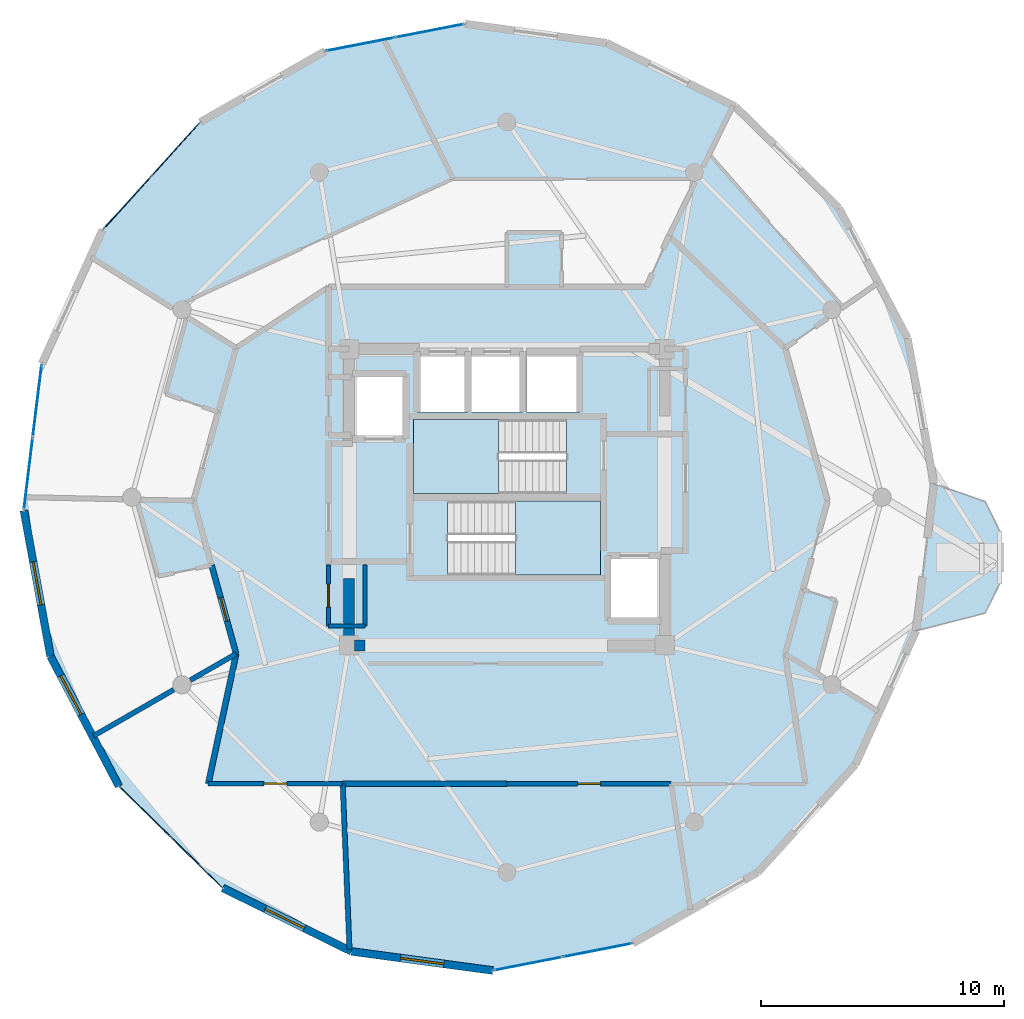
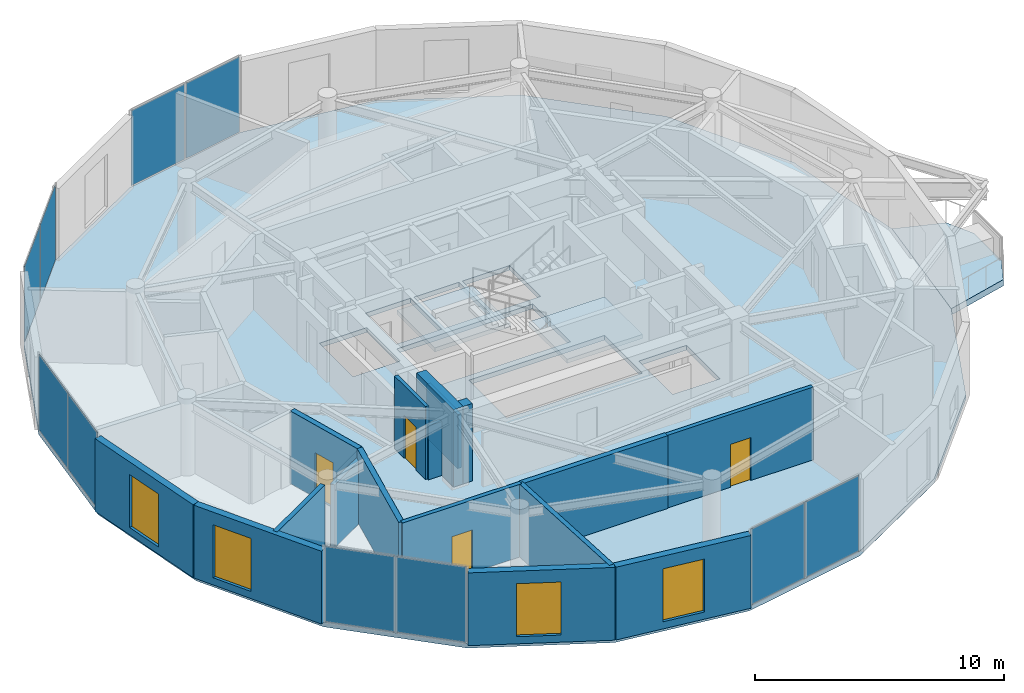
# One storey, part 13 of 18: 17 walls, 10 plates, 4 doors, 4 slabs, 4 windows, 8 openings, 7 elements without a shape of their own.
"""IFC4 building model written with IfcOpenShell, lengths in metres."""

from ifc_helpers import new_model, si_unit, direction, frame, frame_2d, origin, origin_2d, place, context, subcontext, project, spatial, polyline, rectangle, outline, extrude, source, transform, mapped, material, layer, layer_set, type_object, element, fill, aggregate, save


model = new_model("IFC4")

# Units and contexts
model_context = context("Model", 3, precision=1e-05, world=origin(), true_north=direction((0.0, 1.0)))
body_context = subcontext(model_context, "Body", "Model", "MODEL_VIEW")
ifc_project = project(units=[si_unit("LENGTHUNIT", "METRE"), si_unit("AREAUNIT", "SQUARE_METRE"), si_unit("VOLUMEUNIT", "CUBIC_METRE"), si_unit("PLANEANGLEUNIT", "RADIAN"), si_unit("MASSUNIT", "GRAM", prefix="KILO")], contexts=[model_context])

# Site, building, storey
site_placement = place(None, origin())
site = spatial("IfcSite", under=ifc_project, at=site_placement, CompositionType="ELEMENT")
building_placement = place(site_placement, origin())
building = spatial("IfcBuilding", under=site, at=building_placement, Name="Solvirekh Grand Hotel", CompositionType="ELEMENT")
storey_placement = place(building_placement, frame((0.0, 0.0, 274.39990234375)))
storey = spatial("IfcBuildingStorey", under=building, at=storey_placement, Name="L71", CompositionType="ELEMENT", Elevation=274.39990234375)

# Slab
ifc_material_1 = material(Name="Concrete C50/60", Category="concrete")
ifc_layer_1 = layer(ifc_material_1, 0.31005859375)
ifc_layer_set_1 = layer_set([ifc_layer_1], Name="Concrete C50/60")
slab_type_1 = type_object("IfcSlabType", Name="ExtHornSkyGarden_310", PredefinedType="FLOOR", material=ifc_layer_set_1)
slab_1_placement = place(storey_placement, frame((0.0, 0.0, -0.309814453125)))
element("IfcSlab", 1, at=slab_1_placement, inside=storey, type_object=slab_type_1, Name="L71 east horn sky-garden deck", PredefinedType="FLOOR", context=body_context, shape_type="SweptSolid", body=[
    extrude(outline(polyline([(17.592041015625, 0.550048828125), (16.85107421875, -5.5), (19.69189453125, -4.77392578125), (20.2919921875, -3.56396484375), (20.2919921875, -1.385986328125), (19.69189453125, -0.176025390625), (17.592041015625, 0.550048828125)])), origin(), (0.0, 0.0, 1.0), 0.309814453125),
])

# Stair, slab
ifc_material_2 = material(Name="Concrete C40/50", Category="concrete")
stair_type = type_object("IfcStairType", Name="Stair_Core_1450", PredefinedType="HALF_TURN_STAIR", material=ifc_material_2)
stair_1_placement = place(storey_placement, origin())
stair_1 = element("IfcStair", 2, at=stair_1_placement, inside=storey, type_object=stair_type, Name="L71 Enclosed exit stair ST-1", PredefinedType="HALF_TURN_STAIR")
ifc_layer_2 = layer(ifc_material_2, 0.199951171875)
ifc_layer_set_2 = layer_set([ifc_layer_2], Name="Concrete C40/50")
slab_type_2 = type_object("IfcSlabType", Name="Landing_Stair_200", PredefinedType="LANDING", material=ifc_layer_set_2)
slab_2_placement = place(storey_placement, frame((0.0, 0.0, 1.7001953125)))
slab_2 = element("IfcSlab", 3, at=slab_2_placement, type_object=slab_type_2, Name="ST-1 landing 1", PredefinedType="LANDING", context=body_context, shape_type="SweptSolid", body=[
    extrude(outline(polyline([(0.35009765625, -3.199951171875), (3.85009765625, -3.199951171875), (3.85009765625, -0.14990234375), (0.35009765625, -0.14990234375), (0.35009765625, -3.199951171875)])), origin(), (0.0, 0.0, 1.0), 0.199951171875),
])
aggregate(stair_1, [slab_2])

stair_2_placement = place(storey_placement, origin())
stair_2 = element("IfcStair", 4, at=stair_2_placement, inside=storey, type_object=stair_type, Name="L71 Enclosed exit stair ST-2", PredefinedType="HALF_TURN_STAIR")
slab_3_placement = place(storey_placement, frame((0.0, 0.0, 1.7001953125)))
slab_3 = element("IfcSlab", 5, at=slab_3_placement, type_object=slab_type_2, Name="ST-2 landing 1", PredefinedType="LANDING", context=body_context, shape_type="SweptSolid", body=[
    extrude(outline(polyline([(-0.35009765625, 3.199951171875), (-3.85009765625, 3.199951171875), (-3.85009765625, 0.14990234375), (-0.35009765625, 0.14990234375), (-0.35009765625, 3.199951171875)])), origin(), (0.0, 0.0, 1.0), 0.199951171875),
])
aggregate(stair_2, [slab_3])

# Slab
ifc_layer_3 = layer(ifc_material_2, 0.22998046875)
ifc_layer_set_3 = layer_set([ifc_layer_3], Name="Concrete C40/50")
slab_type_3 = type_object("IfcSlabType", Name="Slab_GuestZ4_230", PredefinedType="FLOOR", material=ifc_layer_set_3)
slab_4_placement = place(storey_placement, frame((0.0, 0.0, -0.22998046875)))
element("IfcSlab", 6, at=slab_4_placement, inside=storey, type_object=slab_type_3, Name="L71 structural floor slab", PredefinedType="FLOOR", context=body_context, shape_type="SweptSolid", body=[
    extrude(outline(polyline([(-0.577880859375, -19.491943359375), (5.18505859375, -18.367919921875), (10.3291015625, -15.446044921875), (14.34912109375, -11.011962890625), (16.85107421875, -5.5), (17.592041015625, 0.550048828125), (16.498046875, 6.5458984375), (13.677001953125, 11.902099609375), (9.404052734375, 16.092041015625), (4.097900390625, 18.70703125), (-1.721923828125, 19.491943359375), (-7.485107421875, 18.367919921875), (-12.62890625, 15.446044921875), (-16.64892578125, 11.011962890625), (-19.15087890625, 5.5), (-19.89208984375, -0.550048828125), (-18.798095703125, -6.5458984375), (-15.97705078125, -11.902099609375), (-11.7041015625, -16.092041015625), (-6.39794921875, -18.70703125), (-0.577880859375, -19.491943359375)]), holes=[polyline([(-2.444091796875, -0.14990234375), (3.85009765625, -0.14990234375), (3.85009765625, -3.199951171875), (-2.444091796875, -3.199951171875), (-2.444091796875, -0.14990234375)]), polyline([(2.444091796875, 0.14990234375), (-3.85009765625, 0.14990234375), (-3.85009765625, 3.199951171875), (2.444091796875, 3.199951171875), (2.444091796875, 0.14990234375)]), polyline([(-3.699951171875, 6.0), (-1.60009765625, 6.0), (-1.60009765625, 3.5), (-3.699951171875, 3.5), (-3.699951171875, 6.0)]), polyline([(-1.449951171875, 6.0), (0.64990234375, 6.0), (0.64990234375, 3.5), (-1.449951171875, 3.5), (-1.449951171875, 6.0)]), polyline([(0.800048828125, 6.0), (3.0, 6.0), (3.0, 3.5), (0.800048828125, 3.5), (0.800048828125, 6.0)]), polyline([(-6.35009765625, 5.10009765625), (-4.14990234375, 5.10009765625), (-4.14990234375, 2.39990234375), (-6.35009765625, 2.39990234375), (-6.35009765625, 5.10009765625)]), polyline([(4.14990234375, -2.39990234375), (6.35009765625, -2.39990234375), (6.35009765625, -5.10009765625), (4.14990234375, -5.10009765625), (4.14990234375, -2.39990234375)])]), origin(), (0.0, 0.0, 1.0), 0.22998046875),
])

# Curtain wall, plates
ifc_material_3 = material(Name="Anodized Bronze Aluminium 6063-T6", Category="aluminium")
ifc_layer_4 = layer(ifc_material_3, 0.159912109375)
ifc_layer_set_4 = layer_set([ifc_layer_4], Name="Anodized Bronze Aluminium 6063-T6")
curtain_wall_type = type_object("IfcCurtainWallType", Name="CW_Sys4_HighZoneFlushBronzeCW", PredefinedType="NOTDEFINED", material=ifc_layer_set_4)
curtain_wall_1_placement = place(storey_placement, origin())
curtain_wall_1 = element("IfcCurtainWall", 7, at=curtain_wall_1_placement, inside=storey, type_object=curtain_wall_type, Name="L71 unitised bronze-glass curtain wall CW-L71-C18", PredefinedType="NOTDEFINED")
ifc_material_4 = material(Name="Low-E Tinted Bronze Laminated Glass", Category="aluminium")
ifc_layer_5 = layer(ifc_material_4, 0.033935546875)
ifc_layer_set_5 = layer_set([ifc_layer_5], Name="Low-E Tinted Bronze Laminated Glass")
plate_type = type_object("IfcPlateType", Name="CWPanel_High_34", PredefinedType="CURTAIN_PANEL", material=ifc_layer_set_5)
shared_shape_1 = source(origin(), body_context, "Body", "SweptSolid", [
    extrude(rectangle(XDim=2.90234375, YDim=0.033935546875, at=origin_2d()), origin(), (0.0, 0.0, 1.0), 3.68994140625),
])
plate_1_placement = place(storey_placement, frame((-14.89794921875, -12.9599609375, 0.05517578125), z_axis=(0.0, 0.0, 1.0), x_axis=(0.714007320454, -0.700138233736, 0.0)))
plate_1 = element("IfcPlate", 8, at=plate_1_placement, type_object=plate_type, Name="U04 panel 1.1", PredefinedType="CURTAIN_PANEL", context=body_context, shape_type="MappedRepresentation", body=[
    mapped(shared_shape_1, transform((0.0, 0.0, 0.0), x_axis=(1.0, 0.0, 0.0), y_axis=(0.0, 1.0, 0.0), z_axis=(0.0, 0.0, 1.0), scale=1.0)),
])
plate_2_placement = place(storey_placement, frame((-12.782958984375, -15.033935546875, 0.05517578125), z_axis=(0.0, 0.0, 1.0), x_axis=(0.714007320454, -0.700138233736, 0.0)))
plate_2 = element("IfcPlate", 9, at=plate_2_placement, type_object=plate_type, Name="U04 panel 2.1", PredefinedType="CURTAIN_PANEL", context=body_context, shape_type="MappedRepresentation", body=[
    mapped(shared_shape_1, transform((0.0, 0.0, 0.0), x_axis=(1.0, 0.0, 0.0), y_axis=(0.0, 1.0, 0.0), z_axis=(0.0, 0.0, 1.0), scale=1.0)),
])
aggregate(curtain_wall_1, [plate_1, plate_2])

curtain_wall_2_placement = place(storey_placement, origin())
curtain_wall_2 = element("IfcCurtainWall", 10, at=curtain_wall_2_placement, inside=storey, type_object=curtain_wall_type, Name="L71 unitised bronze-glass curtain wall CW-L71-C13", PredefinedType="NOTDEFINED")
shared_shape_2 = source(origin(), body_context, "Body", "SweptSolid", [
    extrude(rectangle(XDim=2.902587890625, YDim=0.033935546875, at=origin_2d()), origin(), (0.0, 0.0, 1.0), 3.68994140625),
])
plate_3_placement = place(storey_placement, frame((-13.64404296875, 14.326416015625, 0.05517578125), z_axis=(0.0, 0.0, 1.0), x_axis=(-0.671674219559, -0.740846639177, 0.0)))
plate_3 = element("IfcPlate", 11, at=plate_3_placement, type_object=plate_type, Name="U04 panel 1.1", PredefinedType="CURTAIN_PANEL", context=body_context, shape_type="MappedRepresentation", body=[
    mapped(shared_shape_2, transform((0.0, 0.0, 0.0), x_axis=(1.0, 0.0, 0.0), y_axis=(0.0, 1.0, 0.0), z_axis=(0.0, 0.0, 1.0), scale=1.0)),
])
plate_4_placement = place(storey_placement, frame((-15.634033203125, 12.131591796875, 0.05517578125), z_axis=(0.0, 0.0, 1.0), x_axis=(-0.671674219559, -0.740846639177, 0.0)))
plate_4 = element("IfcPlate", 12, at=plate_4_placement, type_object=plate_type, Name="U04 panel 2.1", PredefinedType="CURTAIN_PANEL", context=body_context, shape_type="MappedRepresentation", body=[
    mapped(shared_shape_2, transform((0.0, 0.0, 0.0), x_axis=(1.0, 0.0, 0.0), y_axis=(0.0, 1.0, 0.0), z_axis=(0.0, 0.0, 1.0), scale=1.0)),
])
aggregate(curtain_wall_2, [plate_3, plate_4])

curtain_wall_3_placement = place(storey_placement, origin())
curtain_wall_3 = element("IfcCurtainWall", 13, at=curtain_wall_3_placement, inside=storey, type_object=curtain_wall_type, Name="L71 unitised bronze-glass curtain wall CW-L71-C15", PredefinedType="NOTDEFINED")
shared_shape_3 = source(origin(), body_context, "Body", "SweptSolid", [
    extrude(rectangle(XDim=2.95751953125, YDim=0.033935546875, at=origin_2d()), origin(), (0.0, 0.0, 1.0), 3.68994140625),
])
plate_5_placement = place(storey_placement, frame((-19.338134765625, 3.97265625, 0.05517578125), z_axis=(0.0, 0.0, 1.0), x_axis=(-0.121570879322, -0.992582752873, 0.0)))
plate_5 = element("IfcPlate", 14, at=plate_5_placement, type_object=plate_type, Name="U04 panel 1.1", PredefinedType="CURTAIN_PANEL", context=body_context, shape_type="MappedRepresentation", body=[
    mapped(shared_shape_3, transform((0.0, 0.0, 0.0), x_axis=(1.0, 0.0, 0.0), y_axis=(0.0, 1.0, 0.0), z_axis=(0.0, 0.0, 1.0), scale=1.0)),
])
plate_6_placement = place(storey_placement, frame((-19.704833984375, 0.977294921875, 0.05517578125), z_axis=(0.0, 0.0, 1.0), x_axis=(-0.121570879322, -0.992582752873, 0.0)))
plate_6 = element("IfcPlate", 15, at=plate_6_placement, type_object=plate_type, Name="U04 panel 2.1", PredefinedType="CURTAIN_PANEL", context=body_context, shape_type="MappedRepresentation", body=[
    mapped(shared_shape_3, transform((0.0, 0.0, 0.0), x_axis=(1.0, 0.0, 0.0), y_axis=(0.0, 1.0, 0.0), z_axis=(0.0, 0.0, 1.0), scale=1.0)),
])
aggregate(curtain_wall_3, [plate_5, plate_6])

curtain_wall_4_placement = place(storey_placement, origin())
curtain_wall_4 = element("IfcCurtainWall", 16, at=curtain_wall_4_placement, inside=storey, type_object=curtain_wall_type, Name="L71 unitised bronze-glass curtain wall CW-L71-C01", PredefinedType="NOTDEFINED")
shared_shape_4 = source(origin(), body_context, "Body", "SweptSolid", [
    extrude(rectangle(XDim=2.845703125, YDim=0.033935546875, at=origin_2d()), origin(), (0.0, 0.0, 1.0), 3.68994140625),
])
plate_7_placement = place(storey_placement, frame((0.87744140625, -19.2080078125, 0.05517578125), z_axis=(0.0, 0.0, 1.0), x_axis=(0.981506204733, 0.191430326936, 0.0)))
plate_7 = element("IfcPlate", 17, at=plate_7_placement, type_object=plate_type, Name="U04 panel 1.1", PredefinedType="CURTAIN_PANEL", context=body_context, shape_type="MappedRepresentation", body=[
    mapped(shared_shape_4, transform((0.0, 0.0, 0.0), x_axis=(1.0, 0.0, 0.0), y_axis=(0.0, 1.0, 0.0), z_axis=(0.0, 0.0, 1.0), scale=1.0)),
])
plate_8_placement = place(storey_placement, frame((3.7294921875, -18.65185546875, 0.05517578125), z_axis=(0.0, 0.0, 1.0), x_axis=(0.981506204733, 0.191430326936, 0.0)))
plate_8 = element("IfcPlate", 18, at=plate_8_placement, type_object=plate_type, Name="U04 panel 2.1", PredefinedType="CURTAIN_PANEL", context=body_context, shape_type="MappedRepresentation", body=[
    mapped(shared_shape_4, transform((0.0, 0.0, 0.0), x_axis=(1.0, 0.0, 0.0), y_axis=(0.0, 1.0, 0.0), z_axis=(0.0, 0.0, 1.0), scale=1.0)),
])
aggregate(curtain_wall_4, [plate_7, plate_8])

curtain_wall_5_placement = place(storey_placement, origin())
curtain_wall_5 = element("IfcCurtainWall", 19, at=curtain_wall_5_placement, inside=storey, type_object=curtain_wall_type, Name="L71 unitised bronze-glass curtain wall CW-L71-C11", PredefinedType="NOTDEFINED")
plate_9_placement = place(storey_placement, frame((-3.177490234375, 19.2080078125, 0.05517578125), z_axis=(0.0, 0.0, 1.0), x_axis=(-0.981506204733, -0.191430326936, 0.0)))
plate_9 = element("IfcPlate", 20, at=plate_9_placement, type_object=plate_type, Name="U04 panel 1.1", PredefinedType="CURTAIN_PANEL", context=body_context, shape_type="MappedRepresentation", body=[
    mapped(shared_shape_4, transform((0.0, 0.0, 0.0), x_axis=(1.0, 0.0, 0.0), y_axis=(0.0, 1.0, 0.0), z_axis=(0.0, 0.0, 1.0), scale=1.0)),
])
plate_10_placement = place(storey_placement, frame((-6.029541015625, 18.65185546875, 0.05517578125), z_axis=(0.0, 0.0, 1.0), x_axis=(-0.981506204733, -0.191430326936, 0.0)))
plate_10 = element("IfcPlate", 21, at=plate_10_placement, type_object=plate_type, Name="U04 panel 2.1", PredefinedType="CURTAIN_PANEL", context=body_context, shape_type="MappedRepresentation", body=[
    mapped(shared_shape_4, transform((0.0, 0.0, 0.0), x_axis=(1.0, 0.0, 0.0), y_axis=(0.0, 1.0, 0.0), z_axis=(0.0, 0.0, 1.0), scale=1.0)),
])
aggregate(curtain_wall_5, [plate_9, plate_10])

# Walls
ifc_layer_6 = layer(ifc_material_1, 0.449951171875)
ifc_layer_set_6 = layer_set([ifc_layer_6], Name="Concrete C50/60")
wall_type_1 = type_object("IfcWallType", Name="CoreWall_RC450", PredefinedType="SHEAR", material=ifc_layer_set_6)
wall_1_placement = place(storey_placement, frame((-6.27490234375, -6.10009765625, 0.0), z_axis=(0.0, 0.0, 1.0), x_axis=(1.0, 0.0, 0.0)))
element("IfcWall", 22, at=wall_1_placement, inside=storey, type_object=wall_type_1, Name="L71 core corner shear wall SW-S", PredefinedType="SHEAR", context=body_context, shape_type="SweptSolid", body=[
    extrude(rectangle(XDim=0.4248046875, YDim=0.449951171875, at=frame_2d((0.21240234375, 0.0))), origin(), (0.0, 0.0, 1.0), 3.800048828125),
])
wall_2_placement = place(storey_placement, frame((-6.5, -6.324951171875, 0.0), z_axis=(0.0, 0.0, 1.0), x_axis=(0.0, 1.0, 0.0)))
element("IfcWall", 23, at=wall_2_placement, inside=storey, type_object=wall_type_1, Name="L71 core corner shear wall WS-W", PredefinedType="SHEAR", context=body_context, shape_type="SweptSolid", body=[
    extrude(rectangle(XDim=2.974853515625, YDim=0.449951171875, at=frame_2d((1.4873046875, 0.0))), origin(), (0.0, 0.0, 1.0), 3.800048828125),
])

# Wall, opening, window
ifc_material_5 = material(Name="Precast concrete C45/55", Category="concrete")
ifc_layer_7 = layer(ifc_material_5, 0.320068359375)
ifc_layer_set_7 = layer_set([ifc_layer_7], Name="Precast concrete C45/55")
wall_type_2 = type_object("IfcWallType", Name="ExtLobbyWall_RC320", PredefinedType="SOLIDWALL", material=ifc_layer_set_7)
wall_3_placement = place(storey_placement, frame((-18.798095703125, -6.5458984375, 0.0), z_axis=(0.0, 0.0, 1.0), x_axis=(-0.179495230974, 0.983758843446, 0.0)))
wall_3 = element("IfcWall", 24, at=wall_3_placement, inside=storey, type_object=wall_type_2, Name="L71 exterior structural wall chord 16", PredefinedType="SOLIDWALL", context=body_context, shape_type="SweptSolid", body=[
    extrude(rectangle(XDim=6.0947265625, YDim=0.320068359375, at=frame_2d((3.04736328125, 0.0))), origin(), (0.0, 0.0, 1.0), 3.570068359375),
])
opening_1_placement = place(wall_3_placement, frame((2.14697265625, 0.0, 0.35009765625)))
opening_1 = element("IfcOpeningElement", 25, at=opening_1_placement, cuts=wall_3, Name="Opening W02", PredefinedType="OPENING", context=body_context, shape_type="SweptSolid", body=[
    extrude(rectangle(XDim=1.800048828125, YDim=2.60009765625, at=frame_2d((0.89990234375, 1.300048828125))), frame((0.0, 0.169921875, 0.0), z_axis=(0.0, -1.0, 0.0), x_axis=(1.0, 0.0, 0.0)), (0.0, 0.0, 1.0), 0.340087890625),
])
window_type = type_object("IfcWindowType", Name="Win_LobbyExt_1800X2600", PartitioningType="SINGLE_PANEL", PredefinedType="WINDOW", material=ifc_material_4)
window_1_placement = place(opening_1_placement, origin())
window_1 = element("IfcWindow", 26, at=window_1_placement, inside=storey, type_object=window_type, Name="L71 panoramic bronze-framed window 16", OverallHeight=2.60009765625, OverallWidth=1.800048828125, PartitioningType="SINGLE_PANEL", PredefinedType="WINDOW", context=body_context, shape_type="SweptSolid", body=[
    extrude(rectangle(XDim=1.800048828125, YDim=2.60009765625, at=frame_2d((0.89990234375, 1.300048828125))), frame((0.0, 0.030029296875, 0.0), z_axis=(0.0, -1.0, 0.0), x_axis=(1.0, 0.0, 0.0)), (0.0, 0.0, 1.0), 0.06005859375),
])
fill(opening_1, window_1)

wall_4_placement = place(storey_placement, frame((-15.97705078125, -11.902099609375, 0.0), z_axis=(0.0, 0.0, 1.0), x_axis=(-0.466004047649, 0.884782587744, 0.0)))
wall_4 = element("IfcWall", 27, at=wall_4_placement, inside=storey, type_object=wall_type_2, Name="L71 exterior structural wall chord 17", PredefinedType="SOLIDWALL", context=body_context, shape_type="SweptSolid", body=[
    extrude(rectangle(XDim=6.0537109375, YDim=0.320068359375, at=frame_2d((3.02685546875, 0.0))), origin(), (0.0, 0.0, 1.0), 3.570068359375),
])
opening_2_placement = place(wall_4_placement, frame((3.337890625, 0.0, 0.35009765625)))
opening_2 = element("IfcOpeningElement", 28, at=opening_2_placement, cuts=wall_4, Name="Opening W02", PredefinedType="OPENING", context=body_context, shape_type="SweptSolid", body=[
    extrude(rectangle(XDim=1.800048828125, YDim=2.60009765625, at=frame_2d((0.89990234375, 1.300048828125))), frame((0.0, 0.169921875, 0.0), z_axis=(0.0, -1.0, 0.0), x_axis=(1.0, 0.0, 0.0)), (0.0, 0.0, 1.0), 0.340087890625),
])
window_2_placement = place(opening_2_placement, origin())
window_2 = element("IfcWindow", 29, at=window_2_placement, inside=storey, type_object=window_type, Name="L71 panoramic bronze-framed window 17", OverallHeight=2.60009765625, OverallWidth=1.800048828125, PartitioningType="SINGLE_PANEL", PredefinedType="WINDOW", context=body_context, shape_type="SweptSolid", body=[
    extrude(rectangle(XDim=1.800048828125, YDim=2.60009765625, at=frame_2d((0.89990234375, 1.300048828125))), frame((0.0, 0.030029296875, 0.0), z_axis=(0.0, -1.0, 0.0), x_axis=(1.0, 0.0, 0.0)), (0.0, 0.0, 1.0), 0.06005859375),
])
fill(opening_2, window_2)

wall_5_placement = place(storey_placement, frame((-6.39794921875, -18.70703125, 0.0), z_axis=(0.0, 0.0, 1.0), x_axis=(-0.896987681867, 0.442055537889, 0.0)))
wall_5 = element("IfcWall", 30, at=wall_5_placement, inside=storey, type_object=wall_type_2, Name="L71 exterior structural wall chord 19", PredefinedType="SOLIDWALL", context=body_context, shape_type="SweptSolid", body=[
    extrude(rectangle(XDim=5.91552734375, YDim=0.320068359375, at=frame_2d((2.957763671875, 0.0))), origin(), (0.0, 0.0, 1.0), 3.570068359375),
])
opening_3_placement = place(wall_5_placement, frame((2.1650390625, 0.0, 0.35009765625)))
opening_3 = element("IfcOpeningElement", 31, at=opening_3_placement, cuts=wall_5, Name="Opening W02", PredefinedType="OPENING", context=body_context, shape_type="SweptSolid", body=[
    extrude(rectangle(XDim=1.800048828125, YDim=2.60009765625, at=frame_2d((0.89990234375, 1.300048828125))), frame((0.0, 0.169921875, 0.0), z_axis=(0.0, -1.0, 0.0), x_axis=(1.0, 0.0, 0.0)), (0.0, 0.0, 1.0), 0.340087890625),
])
window_3_placement = place(opening_3_placement, origin())
window_3 = element("IfcWindow", 32, at=window_3_placement, inside=storey, type_object=window_type, Name="L71 panoramic bronze-framed window 19", OverallHeight=2.60009765625, OverallWidth=1.800048828125, PartitioningType="SINGLE_PANEL", PredefinedType="WINDOW", context=body_context, shape_type="SweptSolid", body=[
    extrude(rectangle(XDim=1.800048828125, YDim=2.60009765625, at=frame_2d((0.89990234375, 1.300048828125))), frame((0.0, 0.030029296875, 0.0), z_axis=(0.0, -1.0, 0.0), x_axis=(1.0, 0.0, 0.0)), (0.0, 0.0, 1.0), 0.06005859375),
])
fill(opening_3, window_3)

wall_6_placement = place(storey_placement, frame((-0.577880859375, -19.491943359375, 0.0), z_axis=(0.0, 0.0, 1.0), x_axis=(-0.991028181298, 0.133653072817, 0.0)))
wall_6 = element("IfcWall", 33, at=wall_6_placement, inside=storey, type_object=wall_type_2, Name="L71 exterior structural wall chord 20", PredefinedType="SOLIDWALL", context=body_context, shape_type="SweptSolid", body=[
    extrude(rectangle(XDim=5.872802734375, YDim=0.320068359375, at=frame_2d((2.9365234375, 0.0))), origin(), (0.0, 0.0, 1.0), 3.570068359375),
])
opening_4_placement = place(wall_6_placement, frame((2.034912109375, 0.0, 0.35009765625)))
opening_4 = element("IfcOpeningElement", 34, at=opening_4_placement, cuts=wall_6, Name="Opening W02", PredefinedType="OPENING", context=body_context, shape_type="SweptSolid", body=[
    extrude(rectangle(XDim=1.800048828125, YDim=2.60009765625, at=frame_2d((0.89990234375, 1.300048828125))), frame((0.0, 0.169921875, 0.0), z_axis=(0.0, -1.0, 0.0), x_axis=(1.0, 0.0, 0.0)), (0.0, 0.0, 1.0), 0.340087890625),
])
window_4_placement = place(opening_4_placement, origin())
window_4 = element("IfcWindow", 35, at=window_4_placement, inside=storey, type_object=window_type, Name="L71 panoramic bronze-framed window 20", OverallHeight=2.60009765625, OverallWidth=1.800048828125, PartitioningType="SINGLE_PANEL", PredefinedType="WINDOW", context=body_context, shape_type="SweptSolid", body=[
    extrude(rectangle(XDim=1.800048828125, YDim=2.60009765625, at=frame_2d((0.89990234375, 1.300048828125))), frame((0.0, 0.030029296875, 0.0), z_axis=(0.0, -1.0, 0.0), x_axis=(1.0, 0.0, 0.0)), (0.0, 0.0, 1.0), 0.06005859375),
])
fill(opening_4, window_4)

# Walls
ifc_material_6 = material(Name="Acoustic Gypsum Partition Assembly")
ifc_layer_8 = layer(ifc_material_6, 0.1650390625)
ifc_layer_set_8 = layer_set([ifc_layer_8], Name="Acoustic Gypsum Partition Assembly")
wall_type_3 = type_object("IfcWallType", Name="Part_BOH_165", PredefinedType="PARTITIONING", material=ifc_layer_set_8)
wall_7_placement = place(storey_placement, frame((-7.35009765625, -5.300048828125, 0.0), z_axis=(0.0, 0.0, 1.0), x_axis=(1.0, 0.0, 0.0)))
element("IfcWall", 36, at=wall_7_placement, inside=storey, type_object=wall_type_3, Name="L71 L71 Core Linen Store wall 1", PredefinedType="PARTITIONING", context=body_context, shape_type="SweptSolid", body=[
    extrude(rectangle(XDim=1.5, YDim=0.1650390625, at=frame_2d((0.75, 0.0))), origin(), (0.0, 0.0, 1.0), 2.655029296875),
])
wall_8_placement = place(storey_placement, frame((-5.85009765625, -5.300048828125, 0.0), z_axis=(0.0, 0.0, 1.0), x_axis=(0.0, 1.0, 0.0)))
element("IfcWall", 37, at=wall_8_placement, inside=storey, type_object=wall_type_3, Name="L71 L71 Core Linen Store wall 2", PredefinedType="PARTITIONING", context=body_context, shape_type="SweptSolid", body=[
    extrude(rectangle(XDim=2.5, YDim=0.1650390625, at=frame_2d((1.25, 0.0))), origin(), (0.0, 0.0, 1.0), 2.655029296875),
])

# Wall, opening, door
wall_9_placement = place(storey_placement, frame((-7.35009765625, -2.800048828125, 0.0), z_axis=(0.0, 0.0, 1.0), x_axis=(0.0, -1.0, 0.0)))
wall_9 = element("IfcWall", 38, at=wall_9_placement, inside=storey, type_object=wall_type_3, Name="L71 L71 Core Linen Store wall 4", PredefinedType="PARTITIONING", context=body_context, shape_type="SweptSolid", body=[
    extrude(rectangle(XDim=2.5, YDim=0.1650390625, at=frame_2d((1.25, 0.0))), origin(), (0.0, 0.0, 1.0), 3.570068359375),
])
opening_5_placement = place(wall_9_placement, frame((0.77490234375, 0.0, 0.0)))
opening_5 = element("IfcOpeningElement", 39, at=opening_5_placement, cuts=wall_9, Name="Opening D10", PredefinedType="OPENING", context=body_context, shape_type="SweptSolid", body=[
    extrude(rectangle(XDim=0.949951171875, YDim=2.10009765625, at=frame_2d((0.47509765625, 1.050048828125))), frame((0.0, 0.092529296875, 0.0), z_axis=(0.0, -1.0, 0.0), x_axis=(1.0, 0.0, 0.0)), (0.0, 0.0, 1.0), 0.18505859375),
])
door_type_1 = type_object("IfcDoorType", Name="Door_RoomInt_950X2100", OperationType="NOTDEFINED", PredefinedType="DOOR", material=ifc_material_3)
door_1_placement = place(opening_5_placement, origin())
door_1 = element("IfcDoor", 40, at=door_1_placement, inside=storey, type_object=door_type_1, Name="L71 L71 Core Linen Store door", OperationType="SINGLE_SWING_LEFT", OverallHeight=2.10009765625, OverallWidth=0.949951171875, PredefinedType="DOOR", context=body_context, shape_type="SweptSolid", body=[
    extrude(rectangle(XDim=0.949951171875, YDim=2.10009765625, at=frame_2d((0.47509765625, 1.050048828125))), frame((0.0, 0.02490234375, 0.0), z_axis=(0.0, -1.0, 0.0), x_axis=(1.0, 0.0, 0.0)), (0.0, 0.0, 1.0), 0.050048828125),
])
fill(opening_5, door_1)

ifc_layer_9 = layer(ifc_material_6, 0.239990234375)
ifc_layer_set_9 = layer_set([ifc_layer_9], Name="Acoustic Gypsum Partition Assembly")
wall_type_4 = type_object("IfcWallType", Name="Part_Corridor_240", PredefinedType="PARTITIONING", material=ifc_layer_set_9)
wall_10_placement = place(storey_placement, frame((-12.166015625, -2.7958984375, 0.0), z_axis=(0.0, 0.0, 1.0), x_axis=(0.267374891444, -0.963592583733, 0.0)))
wall_10 = element("IfcWall", 41, at=wall_10_placement, inside=storey, type_object=wall_type_4, Name="L71 Deluxe Guestroom 7303 entrance wall", PredefinedType="PARTITIONING", context=body_context, shape_type="SweptSolid", body=[
    extrude(rectangle(XDim=3.7919921875, YDim=0.239990234375, at=frame_2d((1.89599609375, 0.0))), origin(), (0.0, 0.0, 1.0), 3.570068359375),
])
opening_6_placement = place(wall_10_placement, frame((1.39599609375, 0.0, 0.0)))
opening_6 = element("IfcOpeningElement", 42, at=opening_6_placement, cuts=wall_10, Name="Opening D07", PredefinedType="OPENING", context=body_context, shape_type="SweptSolid", body=[
    extrude(rectangle(XDim=1.0, YDim=2.199951171875, at=frame_2d((0.5, 1.10009765625))), frame((0.0, 0.1298828125, 0.0), z_axis=(0.0, -1.0, 0.0), x_axis=(1.0, 0.0, 0.0)), (0.0, 0.0, 1.0), 0.260009765625),
])
ifc_material_7 = material(Name="Fire-Rated Steel Door Assembly", Category="steel")
door_type_2 = type_object("IfcDoorType", Name="Door_GuestEntry_1000X2200", OperationType="NOTDEFINED", PredefinedType="DOOR", material=ifc_material_7)
door_2_placement = place(opening_6_placement, origin())
door_2 = element("IfcDoor", 43, at=door_2_placement, inside=storey, type_object=door_type_2, Name="L71 Deluxe Guestroom 7303 entrance door", OperationType="SINGLE_SWING_LEFT", OverallHeight=2.199951171875, OverallWidth=1.0, PredefinedType="DOOR", context=body_context, shape_type="SweptSolid", body=[
    extrude(rectangle(XDim=1.0, YDim=2.199951171875, at=frame_2d((0.5, 1.10009765625))), frame((0.0, 0.02490234375, 0.0), z_axis=(0.0, -1.0, 0.0), x_axis=(1.0, 0.0, 0.0)), (0.0, 0.0, 1.0), 0.050048828125),
])
fill(opening_6, door_2)

# Walls
wall_11_placement = place(storey_placement, frame((-11.152099609375, -6.449951171875, 0.0), z_axis=(0.0, 0.0, 1.0), x_axis=(-0.209791126954, -0.977746226304, 0.0)))
element("IfcWall", 44, at=wall_11_placement, inside=storey, type_object=wall_type_4, Name="L71 L71 Horizon View Lounge corridor wall 1", PredefinedType="PARTITIONING", context=body_context, shape_type="SweptSolid", body=[
    extrude(rectangle(XDim=5.471923828125, YDim=0.239990234375, at=frame_2d((2.73583984375, 0.0))), origin(), (0.0, 0.0, 1.0), 3.570068359375),
])
wall_12_placement = place(storey_placement, frame((-6.764892578125, -11.800048828125, 0.0), z_axis=(0.0, 0.0, 1.0), x_axis=(1.0, 0.0, 0.0)))
element("IfcWall", 45, at=wall_12_placement, inside=storey, type_object=wall_type_4, Name="L71 L71 Riverfront Reading Lounge corridor wall 1", PredefinedType="PARTITIONING", context=body_context, shape_type="SweptSolid", body=[
    extrude(rectangle(XDim=6.764892578125, YDim=0.239990234375, at=frame_2d((3.38232421875, 0.0))), origin(), (0.0, 0.0, 1.0), 3.570068359375),
])

# Wall, opening, door
ifc_layer_10 = layer(ifc_material_6, 0.18994140625)
ifc_layer_set_10 = layer_set([ifc_layer_10], Name="Acoustic Gypsum Partition Assembly")
wall_type_5 = type_object("IfcWallType", Name="Part_GuestDemise_190", PredefinedType="PARTITIONING", material=ifc_layer_set_10)
wall_13_placement = place(storey_placement, frame((-12.300048828125, -11.800048828125, 0.0), z_axis=(0.0, 0.0, 1.0), x_axis=(1.0, 0.0, 0.0)))
wall_13 = element("IfcWall", 46, at=wall_13_placement, inside=storey, type_object=wall_type_5, Name="L71 L71 Horizon View Lounge entrance wall", PredefinedType="PARTITIONING", context=body_context, shape_type="SweptSolid", body=[
    extrude(rectangle(XDim=5.53515625, YDim=0.18994140625, at=frame_2d((2.767578125, 0.0))), origin(), (0.0, 0.0, 1.0), 3.570068359375),
])
opening_7_placement = place(wall_13_placement, frame((2.29296875, 0.0, 0.0)))
opening_7 = element("IfcOpeningElement", 47, at=opening_7_placement, cuts=wall_13, Name="Opening D10", PredefinedType="OPENING", context=body_context, shape_type="SweptSolid", body=[
    extrude(rectangle(XDim=0.949951171875, YDim=2.10009765625, at=frame_2d((0.47509765625, 1.050048828125))), frame((0.0, 0.10498046875, 0.0), z_axis=(0.0, -1.0, 0.0), x_axis=(1.0, 0.0, 0.0)), (0.0, 0.0, 1.0), 0.2099609375),
])
door_3_placement = place(opening_7_placement, origin())
door_3 = element("IfcDoor", 48, at=door_3_placement, inside=storey, type_object=door_type_1, Name="L71 L71 Horizon View Lounge entrance door", OperationType="SINGLE_SWING_RIGHT", OverallHeight=2.10009765625, OverallWidth=0.949951171875, PredefinedType="DOOR", context=body_context, shape_type="SweptSolid", body=[
    extrude(rectangle(XDim=0.949951171875, YDim=2.10009765625, at=frame_2d((0.47509765625, 1.050048828125))), frame((0.0, 0.02490234375, 0.0), z_axis=(0.0, -1.0, 0.0), x_axis=(1.0, 0.0, 0.0)), (0.0, 0.0, 1.0), 0.050048828125),
])
fill(opening_7, door_3)

wall_14_placement = place(storey_placement, frame((0.0, -11.800048828125, 0.0), z_axis=(0.0, 0.0, 1.0), x_axis=(1.0, 0.0, 0.0)))
wall_14 = element("IfcWall", 49, at=wall_14_placement, inside=storey, type_object=wall_type_5, Name="L71 L71 Riverfront Reading Lounge entrance wall", PredefinedType="PARTITIONING", context=body_context, shape_type="SweptSolid", body=[
    extrude(rectangle(XDim=6.764892578125, YDim=0.18994140625, at=frame_2d((3.38232421875, 0.0))), origin(), (0.0, 0.0, 1.0), 3.570068359375),
])
opening_8_placement = place(wall_14_placement, frame((2.906982421875, 0.0, 0.0)))
opening_8 = element("IfcOpeningElement", 50, at=opening_8_placement, cuts=wall_14, Name="Opening D10", PredefinedType="OPENING", context=body_context, shape_type="SweptSolid", body=[
    extrude(rectangle(XDim=0.949951171875, YDim=2.10009765625, at=frame_2d((0.47509765625, 1.050048828125))), frame((0.0, 0.10498046875, 0.0), z_axis=(0.0, -1.0, 0.0), x_axis=(1.0, 0.0, 0.0)), (0.0, 0.0, 1.0), 0.2099609375),
])
door_4_placement = place(opening_8_placement, origin())
door_4 = element("IfcDoor", 51, at=door_4_placement, inside=storey, type_object=door_type_1, Name="L71 L71 Riverfront Reading Lounge entrance door", OperationType="SINGLE_SWING_LEFT", OverallHeight=2.10009765625, OverallWidth=0.949951171875, PredefinedType="DOOR", context=body_context, shape_type="SweptSolid", body=[
    extrude(rectangle(XDim=0.949951171875, YDim=2.10009765625, at=frame_2d((0.47509765625, 1.050048828125))), frame((0.0, 0.02490234375, 0.0), z_axis=(0.0, -1.0, 0.0), x_axis=(1.0, 0.0, 0.0)), (0.0, 0.0, 1.0), 0.050048828125),
])
fill(opening_8, door_4)

# Walls
ifc_layer_11 = layer(ifc_material_6, 0.2099609375)
ifc_layer_set_11 = layer_set([ifc_layer_11], Name="Acoustic Gypsum Partition Assembly")
wall_type_6 = type_object("IfcWallType", Name="Part_SuiteDemise_210", PredefinedType="PARTITIONING", material=ifc_layer_set_11)
wall_15_placement = place(storey_placement, frame((-11.152099609375, -6.449951171875, 0.0), z_axis=(0.0, 0.0, 1.0), x_axis=(-0.866828578686, -0.498606272698, 0.0)))
element("IfcWall", 52, at=wall_15_placement, inside=storey, type_object=wall_type_6, Name="L71 suite radial wall 8 (A)", PredefinedType="PARTITIONING", context=body_context, shape_type="SweptSolid", body=[
    extrude(rectangle(XDim=2.172119140625, YDim=0.2099609375, at=frame_2d((1.0859375, 0.0))), origin(), (0.0, 0.0, 1.0), 3.086181640625),
])
wall_16_placement = place(storey_placement, frame((-13.718994140625, -7.927001953125, 0.0), z_axis=(0.0, 0.0, 1.0), x_axis=(-0.866706339444, -0.498818725759, 0.0)))
element("IfcWall", 53, at=wall_16_placement, inside=storey, type_object=wall_type_6, Name="L71 suite radial wall 8 (B)", PredefinedType="PARTITIONING", context=body_context, shape_type="SweptSolid", body=[
    extrude(rectangle(XDim=3.813232421875, YDim=0.2099609375, at=frame_2d((1.90673828125, 0.0))), origin(), (0.0, 0.0, 1.0), 3.570068359375),
])
wall_17_placement = place(storey_placement, frame((-6.764892578125, -11.800048828125, 0.0), z_axis=(0.0, 0.0, 1.0), x_axis=(0.041167862291, -0.999152244212, 0.0)))
element("IfcWall", 54, at=wall_17_placement, inside=storey, type_object=wall_type_6, Name="L71 L71 Horizon View Lounge dividing partition 1", PredefinedType="PARTITIONING", context=body_context, shape_type="SweptSolid", body=[
    extrude(rectangle(XDim=6.825927734375, YDim=0.2099609375, at=frame_2d((3.4130859375, 0.0))), origin(), (0.0, 0.0, 1.0), 3.570068359375),
])

save(model, "model.ifc")
